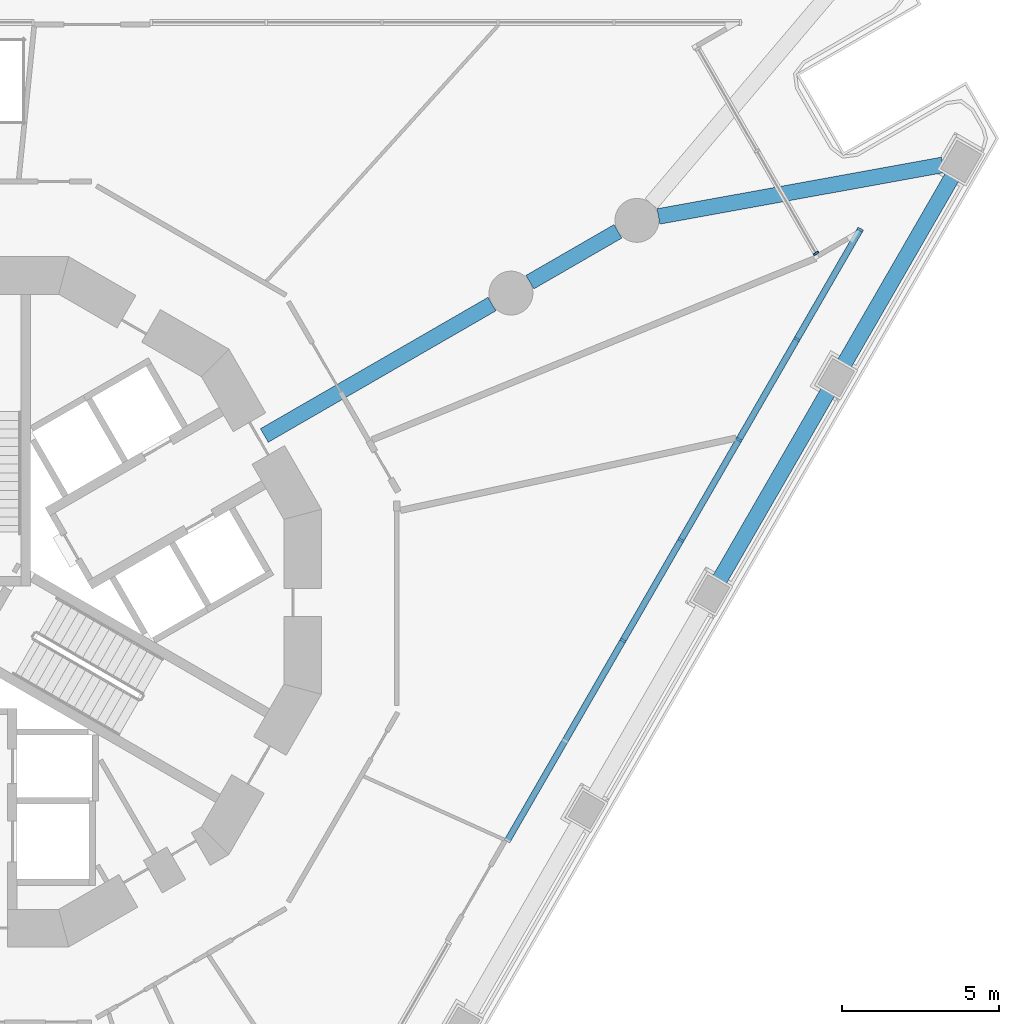
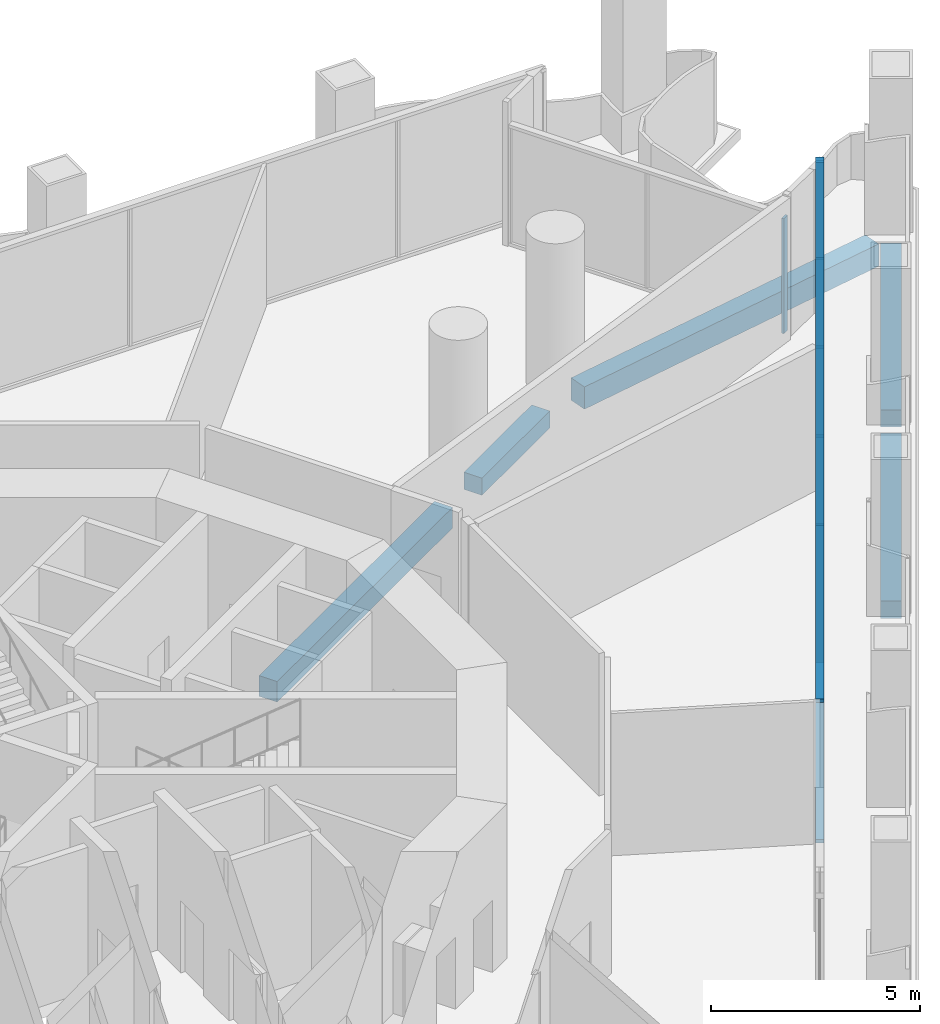
# One storey, part 7 of 21: 8 members, 5 beams, 2 elements without a shape of their own.
"""IFC4 building model written with IfcOpenShell, lengths in metres."""

from ifc_helpers import new_model, si_unit, direction, frame, origin, origin_2d, place, context, subcontext, project, spatial, rectangle, extrude, material, layer, layer_set, material_profile, profile_set, type_object, element, aggregate, save


model = new_model("IFC4")

# Units and contexts
model_context = context("Model", 3, precision=1e-05, world=origin(), true_north=direction((0.0, 1.0)))
body_context = subcontext(model_context, "Body", "Model", "MODEL_VIEW")
ifc_project = project(units=[si_unit("LENGTHUNIT", "METRE"), si_unit("AREAUNIT", "SQUARE_METRE"), si_unit("VOLUMEUNIT", "CUBIC_METRE"), si_unit("PLANEANGLEUNIT", "RADIAN"), si_unit("MASSUNIT", "GRAM", prefix="KILO")], contexts=[model_context])

# Site, building, storey
site_placement = place(None, origin())
site = spatial("IfcSite", under=ifc_project, at=site_placement, CompositionType="ELEMENT")
building_placement = place(site_placement, origin())
building = spatial("IfcBuilding", under=site, at=building_placement, Name="Trine Commons Tower", CompositionType="ELEMENT")
storey_placement = place(building_placement, frame((0.0, 0.0, 27.0)))
storey = spatial("IfcBuildingStorey", under=building, at=storey_placement, Name="L05", CompositionType="ELEMENT", Elevation=27.0)

# Curtain wall, member
ifc_material_1 = material(Name="Corner pocket glazing: anodised aluminium frame with low-emissivity double glazed unit, laminated", Category="aluminium")
ifc_layer_1 = layer(ifc_material_1, 0.179931640625)
ifc_layer_set_1 = layer_set([ifc_layer_1], Name="Corner pocket glazing: anodised aluminium frame with low-emissivity double glazed unit, laminated")
curtain_wall_type_1 = type_object("IfcCurtainWallType", Name="Corner pocket glazing curtain wall CW8", PredefinedType="NOTDEFINED", material=ifc_layer_set_1)
curtain_wall_1_placement = place(storey_placement, origin())
curtain_wall_1 = element("IfcCurtainWall", 1, at=curtain_wall_1_placement, inside=storey, type_object=curtain_wall_type_1, Name="Corner pocket glazing L05 P2.1", PredefinedType="NOTDEFINED")
ifc_material_2 = material(Name="Anodised aluminium, bronze finish", Category="aluminium")
ifc_material_profile_1 = material_profile(ifc_material_2, rectangle(XDim=0.179931640625, YDim=0.06494140625, at=origin_2d()), Name="Mullion 65x180")
ifc_profile_set_1 = profile_set([ifc_material_profile_1], Name="Anodised aluminium, bronze finish")
member_type_1 = type_object("IfcMemberType", Name="Mullion 65x180, Anodised aluminium, bronze finish", PredefinedType="MULLION", material=ifc_profile_set_1)
member_1_placement = place(storey_placement, frame((106.7900390625, 73.616943359375, 0.090087890625), z_axis=(0.0, 0.0, 1.0), x_axis=(0.866025403784, 0.5, 0.0)))
member_1 = element("IfcMember", 2, at=member_1_placement, type_object=member_type_1, Name="CW8 mullion 3.1", PredefinedType="MULLION", context=body_context, shape_type="SweptSolid", body=[
    extrude(rectangle(XDim=0.179931640625, YDim=0.06494140625, at=origin_2d()), origin(), (0.0, 0.0, 1.0), 3.349853515625),
])
aggregate(curtain_wall_1, [member_1])

# Curtain wall, members
ifc_material_3 = material(Name="Podium glazing: anodised aluminium frame with low-emissivity double glazed unit", Category="aluminium")
ifc_layer_2 = layer(ifc_material_3, 0.199951171875)
ifc_layer_set_2 = layer_set([ifc_layer_2], Name="Podium glazing: anodised aluminium frame with low-emissivity double glazed unit")
curtain_wall_type_2 = type_object("IfcCurtainWallType", Name="Podium glazing curtain wall CW3", PredefinedType="NOTDEFINED", material=ifc_layer_set_2)
curtain_wall_2_placement = place(storey_placement, origin())
curtain_wall_2 = element("IfcCurtainWall", 3, at=curtain_wall_2_placement, inside=storey, type_object=curtain_wall_type_2, Name="Podium glazing L05 F2.1", PredefinedType="NOTDEFINED")
ifc_material_profile_2 = material_profile(ifc_material_2, rectangle(XDim=0.199951171875, YDim=0.074951171875, at=origin_2d()), Name="Mullion 75x200")
ifc_profile_set_2 = profile_set([ifc_material_profile_2], Name="Anodised aluminium, bronze finish")
member_type_2 = type_object("IfcMemberType", Name="Mullion 75x200, Anodised aluminium, bronze finish", PredefinedType="MULLION", material=ifc_profile_set_2)
member_2_placement = place(storey_placement, frame((108.197509765625, 74.370361328125, 0.10009765625), z_axis=(0.0, 0.0, 1.0), x_axis=(0.866025403784, -0.5, 0.0)))
member_2 = element("IfcMember", 4, at=member_2_placement, type_object=member_type_2, Name="CW3 mullion 1.1", PredefinedType="MULLION", context=body_context, shape_type="SweptSolid", body=[
    extrude(rectangle(XDim=0.199951171875, YDim=0.074951171875, at=origin_2d()), origin(), (0.0, 0.0, 1.0), 4.0),
])
member_3_placement = place(storey_placement, frame((106.18017578125, 70.876220703125, 0.10009765625), z_axis=(0.0, 0.0, 1.0), x_axis=(0.866025403784, -0.5, 0.0)))
member_3 = element("IfcMember", 5, at=member_3_placement, type_object=member_type_2, Name="CW3 mullion 2.1", PredefinedType="MULLION", context=body_context, shape_type="SweptSolid", body=[
    extrude(rectangle(XDim=0.199951171875, YDim=0.074951171875, at=origin_2d()), origin(), (0.0, 0.0, 1.0), 4.0),
])
member_4_placement = place(storey_placement, frame((104.330810546875, 67.6728515625, 0.10009765625), z_axis=(0.0, 0.0, 1.0), x_axis=(0.866025403784, -0.5, 0.0)))
member_4 = element("IfcMember", 6, at=member_4_placement, type_object=member_type_2, Name="CW3 mullion 3.1", PredefinedType="MULLION", context=body_context, shape_type="SweptSolid", body=[
    extrude(rectangle(XDim=0.199951171875, YDim=0.074951171875, at=origin_2d()), origin(), (0.0, 0.0, 1.0), 4.0),
])
member_5_placement = place(storey_placement, frame((102.481201171875, 64.469482421875, 0.10009765625), z_axis=(0.0, 0.0, 1.0), x_axis=(0.866025403784, -0.5, 0.0)))
member_5 = element("IfcMember", 7, at=member_5_placement, type_object=member_type_2, Name="CW3 mullion 4.1", PredefinedType="MULLION", context=body_context, shape_type="SweptSolid", body=[
    extrude(rectangle(XDim=0.199951171875, YDim=0.074951171875, at=origin_2d()), origin(), (0.0, 0.0, 1.0), 4.0),
])
member_6_placement = place(storey_placement, frame((100.6318359375, 61.26611328125, 0.10009765625), z_axis=(0.0, 0.0, 1.0), x_axis=(0.866025403784, -0.5, 0.0)))
member_6 = element("IfcMember", 8, at=member_6_placement, type_object=member_type_2, Name="CW3 mullion 5.1", PredefinedType="MULLION", context=body_context, shape_type="SweptSolid", body=[
    extrude(rectangle(XDim=0.199951171875, YDim=0.074951171875, at=origin_2d()), origin(), (0.0, 0.0, 1.0), 4.0),
])

# Beams
ifc_material_4 = material(Name="Concrete C50/60", Category="concrete")
ifc_material_profile_3 = material_profile(ifc_material_4, rectangle(XDim=0.5, YDim=0.5, at=origin_2d()), Name="RC 500x500")
ifc_profile_set_3 = profile_set([ifc_material_profile_3], Name="Concrete C50/60")
beam_type_1 = type_object("IfcBeamType", Name="RC beam 500x500, C50/60", PredefinedType="BEAM", material=ifc_profile_set_3)
beam_1_placement = place(storey_placement, frame((111.15380859375, 76.0908203125, -0.60009765625), z_axis=(-0.49999660792, -0.866027362194, 0.0), x_axis=(0.866027362194, -0.49999660792, 0.0)))
element("IfcBeam", 9, at=beam_1_placement, inside=storey, type_object=beam_type_1, Name="Beam EB1-15 L05", PredefinedType="BEAM", context=body_context, shape_type="SweptSolid", body=[
    extrude(rectangle(XDim=0.5, YDim=0.5, at=origin_2d()), origin(), (0.0, 0.0, 1.0), 6.96337890625),
])
beam_2_placement = place(storey_placement, frame((107.197021484375, 69.237548828125, -0.60009765625), z_axis=(-0.499991645397, -0.866030227263, 0.0), x_axis=(0.866030227263, -0.499991645397, 0.0)))
element("IfcBeam", 10, at=beam_2_placement, inside=storey, type_object=beam_type_1, Name="Beam EB1-16 L05", PredefinedType="BEAM", context=body_context, shape_type="SweptSolid", body=[
    extrude(rectangle(XDim=0.5, YDim=0.5, at=origin_2d()), origin(), (0.0, 0.0, 1.0), 7.01318359375),
])
beam_3_placement = place(storey_placement, frame((97.663818359375, 72.697998046875, -0.60009765625), z_axis=(0.865996235589, 0.500050517394, 0.0), x_axis=(-0.500050517394, 0.865996235589, 0.0)))
element("IfcBeam", 11, at=beam_3_placement, inside=storey, type_object=beam_type_1, Name="Beam RB1-04 L05", PredefinedType="BEAM", context=body_context, shape_type="SweptSolid", body=[
    extrude(rectangle(XDim=0.5, YDim=0.5, at=origin_2d()), origin(), (0.0, 0.0, 1.0), 3.242431640625),
])
ifc_material_profile_4 = material_profile(ifc_material_4, rectangle(XDim=0.5, YDim=0.60009765625, at=origin_2d()), Name="RC 500x600")
ifc_profile_set_4 = profile_set([ifc_material_profile_4], Name="Concrete C50/60")
beam_type_2 = type_object("IfcBeamType", Name="RC beam 500x600, C50/60", PredefinedType="BEAM", material=ifc_profile_set_4)
beam_4_placement = place(storey_placement, frame((89.18994140625, 67.805908203125, -0.64990234375), z_axis=(0.866038208851, 0.499977820318, 0.0), x_axis=(-0.499977820318, 0.866038208851, 0.0)))
element("IfcBeam", 12, at=beam_4_placement, inside=storey, type_object=beam_type_2, Name="Beam RB1-03 L05", PredefinedType="BEAM", context=body_context, shape_type="SweptSolid", body=[
    extrude(rectangle(XDim=0.5, YDim=0.60009765625, at=origin_2d()), origin(), (0.0, 0.0, 1.0), 8.38623046875),
])
ifc_material_profile_5 = material_profile(ifc_material_4, rectangle(XDim=0.5, YDim=0.64990234375, at=origin_2d()), Name="RC 500x650")
ifc_profile_set_5 = profile_set([ifc_material_profile_5], Name="Concrete C50/60")
beam_type_3 = type_object("IfcBeamType", Name="RC beam 500x650, C50/60", PredefinedType="BEAM", material=ifc_profile_set_5)
beam_5_placement = place(storey_placement, frame((110.8359375, 76.440185546875, -0.675048828125), z_axis=(-0.983921563764, -0.178601109628, 0.0), x_axis=(0.178601109628, -0.983921563764, 0.0)))
element("IfcBeam", 13, at=beam_5_placement, inside=storey, type_object=beam_type_3, Name="Beam CB1-04 L05", PredefinedType="BEAM", context=body_context, shape_type="SweptSolid", body=[
    extrude(rectangle(XDim=0.5, YDim=0.64990234375, at=origin_2d()), origin(), (0.0, 0.0, 1.0), 9.21875),
])

# Member
ifc_material_profile_6 = material_profile(ifc_material_2, rectangle(XDim=0.199951171875, YDim=0.10009765625, at=origin_2d()), Name="Transom 100x200")
ifc_profile_set_6 = profile_set([ifc_material_profile_6], Name="Anodised aluminium, bronze finish")
member_type_3 = type_object("IfcMemberType", Name="Transom 100x200, Anodised aluminium, bronze finish", PredefinedType="USERDEFINED", material=ifc_profile_set_6)
member_7_placement = place(storey_placement, frame((108.21630859375, 74.40283203125, 0.050048828125), z_axis=(-0.499997470867, -0.866026863975, 0.0), x_axis=(0.866026863975, -0.499997470867, 0.0)))
member_7 = element("IfcMember", 14, at=member_7_placement, type_object=member_type_3, Name="CW3 transom T00", ObjectType="TRANSOM", PredefinedType="USERDEFINED", context=body_context, shape_type="SweptSolid", body=[
    extrude(rectangle(XDim=0.199951171875, YDim=0.10009765625, at=origin_2d()), origin(), (0.0, 0.0, 1.0), 22.56640625),
])

member_8_placement = place(storey_placement, frame((108.21630859375, 74.40283203125, 4.14990234375), z_axis=(-0.499997470867, -0.866026863975, 0.0), x_axis=(0.866026863975, -0.499997470867, 0.0)))
member_8 = element("IfcMember", 15, at=member_8_placement, type_object=member_type_3, Name="CW3 transom TH00", ObjectType="TRANSOM", PredefinedType="USERDEFINED", context=body_context, shape_type="SweptSolid", body=[
    extrude(rectangle(XDim=0.199951171875, YDim=0.10009765625, at=origin_2d()), origin(), (0.0, 0.0, 1.0), 22.56640625),
])

aggregate(curtain_wall_2, [member_7, member_8, member_2, member_3, member_4, member_5, member_6])

save(model, "model.ifc")
